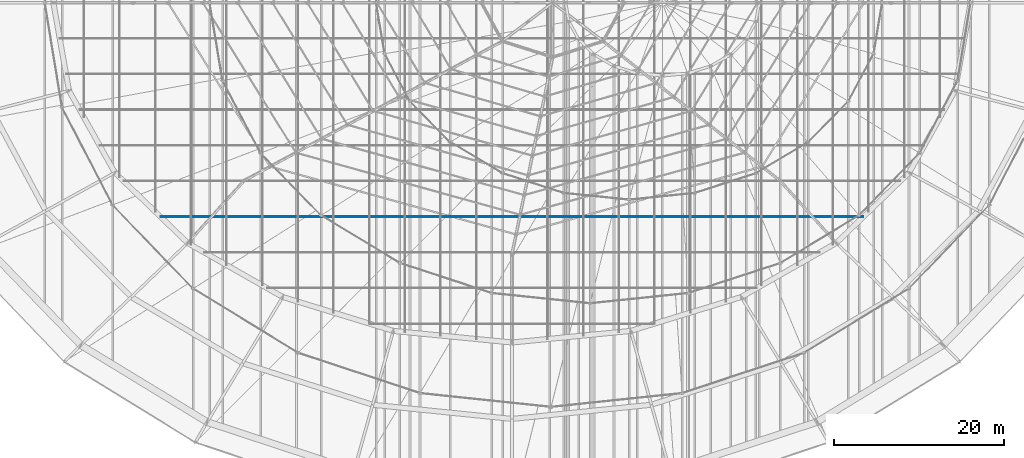
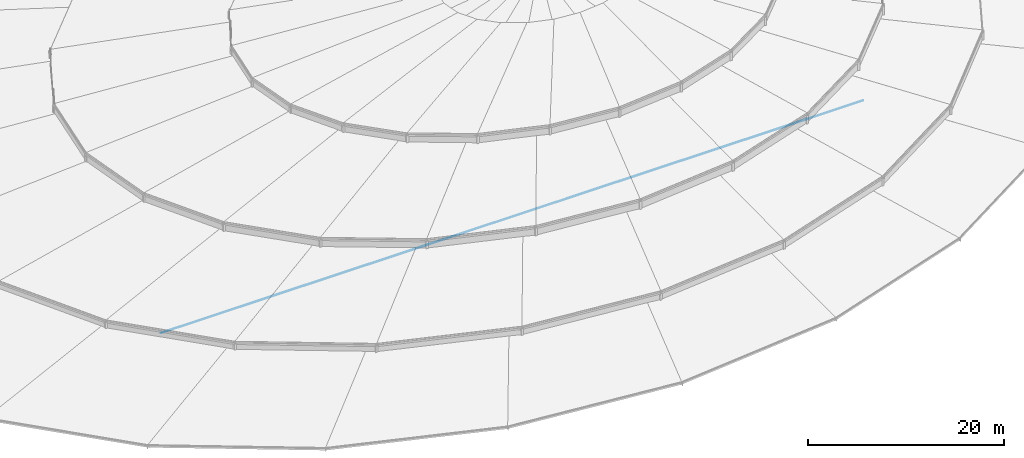
# One storey, part 43 of 184: 1 member.
"""IFC4 building model written with IfcOpenShell, lengths in metres."""

from ifc_helpers import new_model, si_unit, direction, frame, origin, origin_2d, place, context, subcontext, project, spatial, circle, extrude, material, material_profile, profile_set, type_object, element, save


model = new_model("IFC4")

# Units and contexts
model_context = context("Model", 3, precision=1e-05, world=origin(), true_north=direction((0.0, 1.0)))
body_context = subcontext(model_context, "Body", "Model", "MODEL_VIEW")
ifc_project = project(units=[si_unit("LENGTHUNIT", "METRE"), si_unit("AREAUNIT", "SQUARE_METRE"), si_unit("VOLUMEUNIT", "CUBIC_METRE"), si_unit("PLANEANGLEUNIT", "RADIAN"), si_unit("MASSUNIT", "GRAM", prefix="KILO")], contexts=[model_context])

# Site, building, storey
site_placement = place(None, origin())
site = spatial("IfcSite", under=ifc_project, at=site_placement, CompositionType="ELEMENT")
building_placement = place(site_placement, origin())
building = spatial("IfcBuilding", under=site, at=building_placement, Name="Kalgoora Escarpment Arena", CompositionType="ELEMENT")
storey_placement = place(building_placement, frame((0.0, 0.0, 27.60009765625)))
storey = spatial("IfcBuildingStorey", under=building, at=storey_placement, Name="Roof Level", CompositionType="ELEMENT", Elevation=27.60009765625)

# Member
ifc_material = material(Name="High-tensile spiral strand steel Grade 450 (350 MPa)", Category="steel")
ifc_material_profile = material_profile(ifc_material, circle(Radius=0.035888671875, at=origin_2d()))
ifc_profile_set = profile_set([ifc_material_profile], Name="High-tensile spiral strand steel Grade 450 (350 MPa)")
member_type = type_object("IfcMemberType", Name="MEM-CABLE-72", PredefinedType="USERDEFINED", material=ifc_profile_set)
member_placement = place(storey_placement, frame((51.021240234375, 38.800048828125, -1.25), z_axis=(1.0, 0.0, 0.0), x_axis=(0.0, 1.0, 0.0)))
element("IfcMember", 1, at=member_placement, inside=storey, type_object=member_type, Name="Roof saddle hanging cable X-04", ObjectType="CABLE", PredefinedType="USERDEFINED", context=body_context, shape_type="SweptSolid", body=[
    extrude(circle(Radius=0.035888671875, at=origin_2d()), origin(), (0.0, 0.0, 1.0), 82.757568359375),
])

save(model, "model.ifc")
